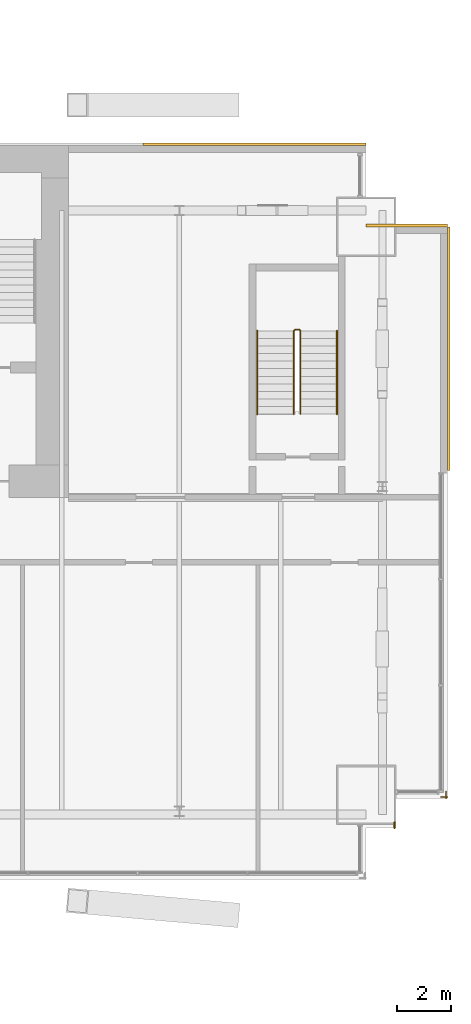
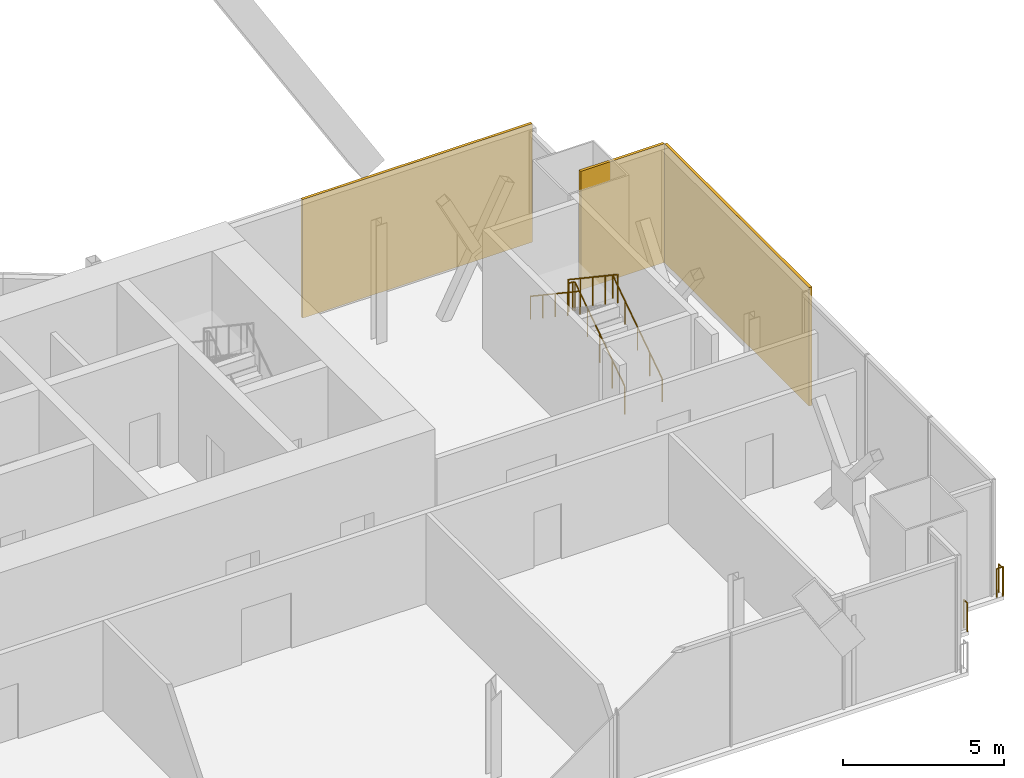
# One storey, part 19 of 19: 5 railings, 3 coverings.
"""IFC4 building model written with IfcOpenShell, lengths in metres."""

from ifc_helpers import new_model, si_unit, direction, frame, origin, origin_2d, place, context, subcontext, project, spatial, rectangle, circle, extrude, material, layer, layer_set, type_object, element, save


model = new_model("IFC4")

# Units and contexts
model_context = context("Model", 3, precision=1e-05, world=origin(), true_north=direction((0.0, 1.0)))
body_context = subcontext(model_context, "Body", "Model", "MODEL_VIEW")
ifc_project = project(units=[si_unit("LENGTHUNIT", "METRE"), si_unit("AREAUNIT", "SQUARE_METRE"), si_unit("VOLUMEUNIT", "CUBIC_METRE"), si_unit("PLANEANGLEUNIT", "RADIAN"), si_unit("MASSUNIT", "GRAM", prefix="KILO")], contexts=[model_context])

# Site, building, storey
site_placement = place(None, origin())
site = spatial("IfcSite", under=ifc_project, at=site_placement, CompositionType="ELEMENT")
building_placement = place(site_placement, origin())
building = spatial("IfcBuilding", under=site, at=building_placement, Name="Bicima Exchange Tower", CompositionType="ELEMENT")
storey_placement = place(building_placement, frame((0.0, 0.0, 297.5)))
storey = spatial("IfcBuildingStorey", under=building, at=storey_placement, Name="L67", CompositionType="ELEMENT", Elevation=297.5)

# Coverings
ifc_material_1 = material(Name="Bronze metal cladding")
ifc_layer_1 = layer(ifc_material_1, 0.004)
ifc_material_2 = material(Name="Ventilated cavity")
ifc_layer_2 = layer(ifc_material_2, 0.06)
ifc_material_3 = material(Name="Galvanised steel rail and mineral wool", Category="steel")
ifc_layer_3 = layer(ifc_material_3, 0.036)
ifc_layer_set = layer_set([ifc_layer_1, ifc_layer_2, ifc_layer_3], Name="Ventilated cavity")
covering_type = type_object("IfcCoveringType", Name="Bronze metal cladding panel 100", PredefinedType="CLADDING", material=ifc_layer_set)
covering_1_placement = place(storey_placement, frame((28.875, 0.050048828125, -0.14990234375), z_axis=(0.0, 0.0, 1.0), x_axis=(-1.0, 0.0, 0.0)))
element("IfcCovering", 1, at=covering_1_placement, inside=storey, type_object=covering_type, Name="Bronze cladding L67 1.1", PredefinedType="CLADDING", context=body_context, shape_type="SweptSolid", body=[
    extrude(rectangle(XDim=8.25, YDim=0.10009765625, at=origin_2d()), origin(), (0.0, 0.0, 1.0), 4.5),
])
covering_2_placement = place(storey_placement, frame((36.050048828125, -7.5, -0.14990234375), z_axis=(0.0, 0.0, 1.0), x_axis=(0.0, 1.0, 0.0)))
element("IfcCovering", 2, at=covering_2_placement, inside=storey, type_object=covering_type, Name="Bronze cladding L67 50.1", PredefinedType="CLADDING", context=body_context, shape_type="SweptSolid", body=[
    extrude(rectangle(XDim=9.0, YDim=0.10009765625, at=origin_2d()), origin(), (0.0, 0.0, 1.0), 4.5),
])
covering_3_placement = place(storey_placement, frame((34.5, -2.949951171875, -0.14990234375), z_axis=(0.0, 0.0, 1.0), x_axis=(-1.0, 0.0, 0.0)))
element("IfcCovering", 3, at=covering_3_placement, inside=storey, type_object=covering_type, Name="Bronze cladding L67 51.1", PredefinedType="CLADDING", context=body_context, shape_type="SweptSolid", body=[
    extrude(rectangle(XDim=3.0, YDim=0.10009765625, at=origin_2d()), origin(), (0.0, 0.0, 1.0), 4.5),
])

# Railings
ifc_material_4 = material(Name="Stainless steel and bonded safety glass", Category="steel")
railing_type_1 = type_object("IfcRailingType", Name="Edge guard 1100", PredefinedType="GUARDRAIL", material=ifc_material_4)
railing_1_placement = place(storey_placement, frame((35.949951171875, -23.867919921875, 0.0)))
element("IfcRailing", 4, at=railing_1_placement, inside=storey, type_object=railing_type_1, Name="Edge guard L67 344", PredefinedType="GUARDRAIL", context=body_context, shape_type="SweptSolid", body=[
    extrude(circle(Radius=0.02392578125, at=origin_2d()), frame((0.0, 0.0, 1.076171875), z_axis=(0.0, -1.0, 0.0), x_axis=(1.0, 0.0, 0.0)), (0.0, 0.0, 1.0), 0.248046875),
    extrude(circle(Radius=0.02392578125, at=origin_2d()), frame((0.0, -0.248046875, 1.076171875), z_axis=(0.707106781187, 0.707106781187, 0.0), x_axis=(-0.707106781187, 0.707106781187, 0.0)), (0.0, 0.0, 1.0), 0.07080078125),
    extrude(circle(Radius=0.02392578125, at=origin_2d()), frame((0.050048828125, -0.197998046875, 1.076171875), z_axis=(-1.0, 0.0, 0.0), x_axis=(0.0, -1.0, 0.0)), (0.0, 0.0, 1.0), 0.237060546875),
    extrude(circle(Radius=0.02099609375, at=origin_2d()), origin(), (0.0, 0.0, 1.0), 1.052001953125),
    extrude(circle(Radius=0.02099609375, at=origin_2d()), frame((0.0, -0.248046875, 0.0)), (0.0, 0.0, 1.0), 1.052001953125),
    extrude(circle(Radius=0.02099609375, at=origin_2d()), frame((0.050048828125, -0.197998046875, 0.0)), (0.0, 0.0, 1.0), 1.052001953125),
    extrude(circle(Radius=0.02099609375, at=origin_2d()), frame((-0.18701171875, -0.197998046875, 0.0)), (0.0, 0.0, 1.0), 1.052001953125),
])
railing_2_placement = place(storey_placement, frame((34.050048828125, -24.99609375, 0.0)))
element("IfcRailing", 5, at=railing_2_placement, inside=storey, type_object=railing_type_1, Name="Edge guard L67 345", PredefinedType="GUARDRAIL", context=body_context, shape_type="SweptSolid", body=[
    extrude(circle(Radius=0.02392578125, at=origin_2d()), frame((0.0, 0.0, 1.076171875), z_axis=(0.0, -1.0, 0.0), x_axis=(1.0, 0.0, 0.0)), (0.0, 0.0, 1.0), 0.219970703125),
    extrude(circle(Radius=0.02099609375, at=origin_2d()), origin(), (0.0, 0.0, 1.0), 1.052001953125),
    extrude(circle(Radius=0.02099609375, at=origin_2d()), frame((0.0, -0.219970703125, 0.0)), (0.0, 0.0, 1.0), 1.052001953125),
])
ifc_material_5 = material(Name="Stainless steel", Category="steel")
railing_type_2 = type_object("IfcRailingType", Name="Stair guard 1100", PredefinedType="GUARDRAIL", material=ifc_material_5)
railing_3_placement = place(storey_placement, frame((30.574951171875, -9.925048828125, 0.1875)))
element("IfcRailing", 6, at=railing_3_placement, inside=storey, type_object=railing_type_2, Name="L67 ST-EE stair guard 1", PredefinedType="GUARDRAIL", context=body_context, shape_type="SweptSolid", body=[
    extrude(circle(Radius=0.02392578125, at=origin_2d()), frame((0.0, 0.0, 1.076171875), z_axis=(0.0, 0.830913701846, 0.55640131208), x_axis=(-1.0, 0.0, 0.0)), (0.0, 0.0, 1.0), 3.706787109375),
    extrude(circle(Radius=0.02392578125, at=origin_2d()), frame((0.0, 3.080078125, 3.138671875), z_axis=(-0.707106781187, 0.707106781187, 0.0), x_axis=(-0.707106781187, -0.707106781187, 0.0)), (0.0, 0.0, 1.0), 0.07080078125),
    extrude(circle(Radius=0.02392578125, at=origin_2d()), frame((-0.050048828125, 3.130126953125, 3.138671875), z_axis=(-1.0, 0.0, 0.0), x_axis=(0.0, -1.0, 0.0)), (0.0, 0.0, 1.0), 0.14990234375),
    extrude(circle(Radius=0.02392578125, at=origin_2d()), frame((-0.199951171875, 3.130126953125, 3.138671875), z_axis=(-0.249726431254, -0.249726431254, 0.935560483917), x_axis=(0.707106781187, -0.707106781187, 0.0)), (0.0, 0.0, 1.0), 0.200439453125),
    extrude(circle(Radius=0.02392578125, at=origin_2d()), frame((-0.25, 3.080078125, 3.326171875), z_axis=(0.0, -0.830913701846, 0.55640131208), x_axis=(1.0, 0.0, 0.0)), (0.0, 0.0, 1.0), 3.706787109375),
    extrude(circle(Radius=0.02099609375, at=origin_2d()), origin(), (0.0, 0.0, 1.0), 1.052001953125),
    extrude(circle(Radius=0.02099609375, at=origin_2d()), frame((0.0, 0.77001953125, 0.515625)), (0.0, 0.0, 1.0), 1.052001953125),
    extrude(circle(Radius=0.02099609375, at=origin_2d()), frame((0.0, 1.5400390625, 1.03125)), (0.0, 0.0, 1.0), 1.052001953125),
    extrude(circle(Radius=0.02099609375, at=origin_2d()), frame((0.0, 2.31005859375, 1.546875)), (0.0, 0.0, 1.0), 1.052001953125),
    extrude(circle(Radius=0.02099609375, at=origin_2d()), frame((0.0, 3.080078125, 2.0625)), (0.0, 0.0, 1.0), 1.052001953125),
    extrude(circle(Radius=0.02099609375, at=origin_2d()), frame((-0.050048828125, 3.130126953125, 2.0625)), (0.0, 0.0, 1.0), 1.052001953125),
    extrude(circle(Radius=0.02099609375, at=origin_2d()), frame((-0.199951171875, 3.130126953125, 2.0625)), (0.0, 0.0, 1.0), 1.052001953125),
    extrude(circle(Radius=0.02099609375, at=origin_2d()), frame((-0.25, 3.080078125, 2.25)), (0.0, 0.0, 1.0), 1.052001953125),
    extrude(circle(Radius=0.02099609375, at=origin_2d()), frame((-0.25, 2.31005859375, 2.765625)), (0.0, 0.0, 1.0), 1.052001953125),
    extrude(circle(Radius=0.02099609375, at=origin_2d()), frame((-0.25, 1.5400390625, 3.28125)), (0.0, 0.0, 1.0), 1.052001953125),
    extrude(circle(Radius=0.02099609375, at=origin_2d()), frame((-0.25, 0.77001953125, 3.796875)), (0.0, 0.0, 1.0), 1.052001953125),
    extrude(circle(Radius=0.02099609375, at=origin_2d()), frame((-0.25, 0.0, 4.3125)), (0.0, 0.0, 1.0), 1.052001953125),
])
railing_type_3 = type_object("IfcRailingType", Name="Stair handrail 900", PredefinedType="HANDRAIL", material=ifc_material_5)
railing_4_placement = place(storey_placement, frame((31.925048828125, -9.925048828125, 0.1875)))
element("IfcRailing", 7, at=railing_4_placement, inside=storey, type_object=railing_type_3, Name="L67 ST-EE stair handrail 1", PredefinedType="HANDRAIL", context=body_context, shape_type="SweptSolid", body=[
    extrude(circle(Radius=0.02392578125, at=origin_2d()), frame((0.0, 0.0, 0.8759765625), z_axis=(0.0, 0.830913701846, 0.55640131208), x_axis=(-1.0, 0.0, 0.0)), (0.0, 0.0, 1.0), 3.706787109375),
    extrude(circle(Radius=0.02099609375, at=origin_2d()), origin(), (0.0, 0.0, 1.0), 0.851806640625),
    extrude(circle(Radius=0.02099609375, at=origin_2d()), frame((0.0, 0.77001953125, 0.515625)), (0.0, 0.0, 1.0), 0.851806640625),
    extrude(circle(Radius=0.02099609375, at=origin_2d()), frame((0.0, 1.5400390625, 1.03125)), (0.0, 0.0, 1.0), 0.851806640625),
    extrude(circle(Radius=0.02099609375, at=origin_2d()), frame((0.0, 2.31005859375, 1.546875)), (0.0, 0.0, 1.0), 0.851806640625),
    extrude(circle(Radius=0.02099609375, at=origin_2d()), frame((0.0, 3.080078125, 2.0625)), (0.0, 0.0, 1.0), 0.851806640625),
])
railing_5_placement = place(storey_placement, frame((28.97509765625, -6.844970703125, 2.47900390625)))
element("IfcRailing", 8, at=railing_5_placement, inside=storey, type_object=railing_type_3, Name="L67 ST-EE stair handrail 2", PredefinedType="HANDRAIL", context=body_context, shape_type="SweptSolid", body=[
    extrude(circle(Radius=0.02392578125, at=origin_2d()), frame((0.0, 0.0, 0.8759765625), z_axis=(0.0, -0.830913701846, 0.55640131208), x_axis=(1.0, 0.0, 0.0)), (0.0, 0.0, 1.0), 3.706787109375),
    extrude(circle(Radius=0.02099609375, at=origin_2d()), origin(), (0.0, 0.0, 1.0), 0.851806640625),
    extrude(circle(Radius=0.02099609375, at=origin_2d()), frame((0.0, -0.77001953125, 0.515625)), (0.0, 0.0, 1.0), 0.851806640625),
    extrude(circle(Radius=0.02099609375, at=origin_2d()), frame((0.0, -1.5400390625, 1.03125)), (0.0, 0.0, 1.0), 0.851806640625),
    extrude(circle(Radius=0.02099609375, at=origin_2d()), frame((0.0, -2.31005859375, 1.546875)), (0.0, 0.0, 1.0), 0.851806640625),
    extrude(circle(Radius=0.02099609375, at=origin_2d()), frame((0.0, -3.080078125, 2.0625)), (0.0, 0.0, 1.0), 0.851806640625),
])

save(model, "model.ifc")
